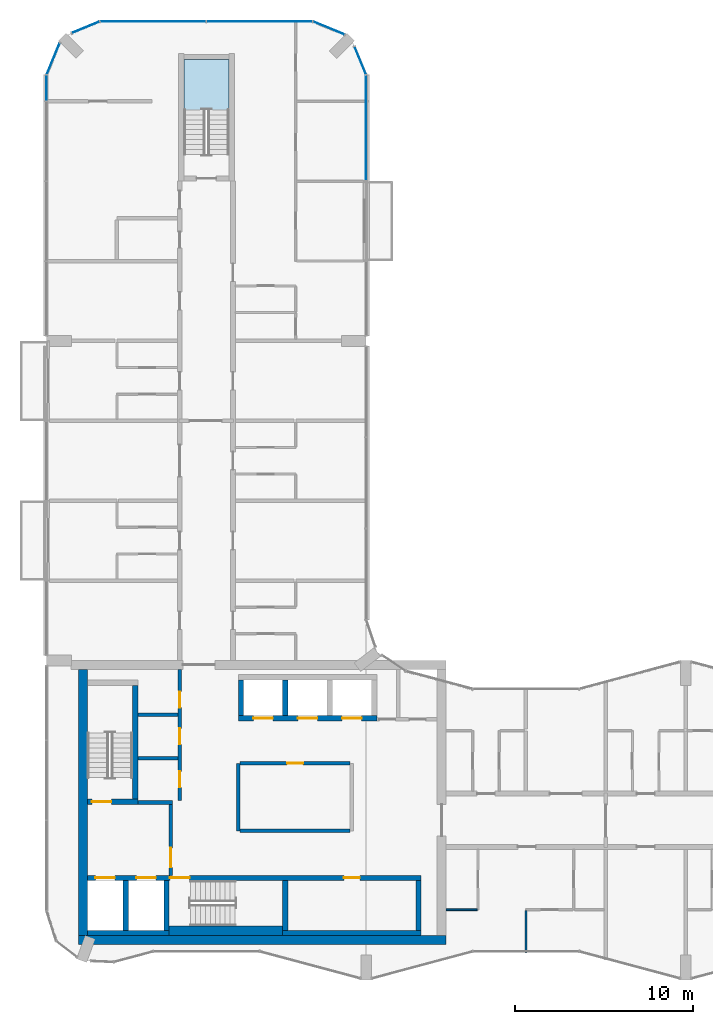
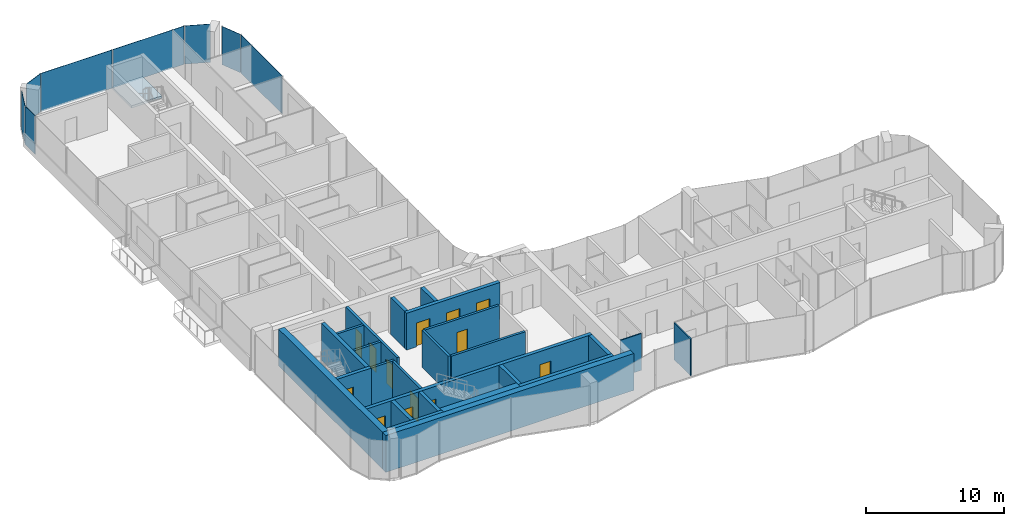
# One storey, part 9 of 16: 25 walls, 13 doors, 8 plates, 1 slab, 13 openings, 8 elements without a shape of their own.
"""IFC4 building model written with IfcOpenShell, lengths in metres."""

from ifc_helpers import new_model, si_unit, direction, frame, frame_2d, origin, origin_2d, place, context, subcontext, project, spatial, polyline, rectangle, outline, extrude, material, layer, layer_set, type_object, element, fill, aggregate, save


model = new_model("IFC4")

# Units and contexts
model_context = context("Model", 3, precision=1e-05, world=origin(), true_north=direction((0.0, 1.0)))
body_context = subcontext(model_context, "Body", "Model", "MODEL_VIEW")
ifc_project = project(units=[si_unit("LENGTHUNIT", "METRE"), si_unit("AREAUNIT", "SQUARE_METRE"), si_unit("VOLUMEUNIT", "CUBIC_METRE"), si_unit("PLANEANGLEUNIT", "RADIAN"), si_unit("MASSUNIT", "GRAM", prefix="KILO")], contexts=[model_context])

# Site, building, storey
site_placement = place(None, origin())
site = spatial("IfcSite", under=ifc_project, at=site_placement, CompositionType="ELEMENT")
building_placement = place(site_placement, origin())
building = spatial("IfcBuilding", under=site, at=building_placement, Name="Plateau Cross Towers", CompositionType="ELEMENT")
storey_placement = place(building_placement, frame((0.0, 0.0, 218.89990234375)))
storey = spatial("IfcBuildingStorey", under=building, at=storey_placement, Name="L57", CompositionType="ELEMENT", Elevation=218.89990234375)

# Curtain wall, plate
ifc_material_1 = material(Name="Dark low-iron glass", Category="glass")
ifc_layer_1 = layer(ifc_material_1, 0.239990234375)
ifc_layer_set_1 = layer_set([ifc_layer_1], Name="Dark low-iron glass")
curtain_wall_type = type_object("IfcCurtainWallType", Name="Curtain wall flush unitised CW-B", PredefinedType="NOTDEFINED", material=ifc_layer_set_1)
curtain_wall_1_placement = place(storey_placement, origin())
curtain_wall_1 = element("IfcCurtainWall", 1, at=curtain_wall_1_placement, inside=storey, type_object=curtain_wall_type, Name="ENV/A/L57/A180_450", PredefinedType="NOTDEFINED")
ifc_layer_2 = layer(ifc_material_1, 0.031982421875)
ifc_layer_set_2 = layer_set([ifc_layer_2], Name="Dark low-iron glass")
plate_type = type_object("IfcPlateType", Name="Glass panel 32 flush unitised", PredefinedType="CURTAIN_PANEL", material=ifc_layer_set_2)
plate_1_placement = place(storey_placement, frame((18.0, 48.0048828125, -0.1298828125), z_axis=(0.0, 0.0, 1.0), x_axis=(0.0, 1.0, 0.0)))
plate_1 = element("IfcPlate", 2, at=plate_1_placement, type_object=plate_type, Name="CW-B panel 1", PredefinedType="CURTAIN_PANEL", context=body_context, shape_type="SweptSolid", body=[
    extrude(rectangle(XDim=5.929931640625, YDim=0.031982421875, at=origin_2d()), origin(), (0.0, 0.0, 1.0), 3.3798828125),
])
aggregate(curtain_wall_1, [plate_1])

curtain_wall_2_placement = place(storey_placement, origin())
curtain_wall_2 = element("IfcCurtainWall", 3, at=curtain_wall_2_placement, inside=storey, type_object=curtain_wall_type, Name="ENV/A/L57/A180_510", PredefinedType="NOTDEFINED")
plate_2_placement = place(storey_placement, frame((17.66943359375, 51.79833984375, -0.1298828125), z_axis=(0.0, 0.0, 1.0), x_axis=(-0.382683612978, 0.923879457699, 0.0)))
plate_2 = element("IfcPlate", 4, at=plate_2_placement, type_object=plate_type, Name="CW-B panel 1", PredefinedType="CURTAIN_PANEL", context=body_context, shape_type="SweptSolid", body=[
    extrude(rectangle(XDim=1.668212890625, YDim=0.031982421875, at=origin_2d()), origin(), (0.0, 0.0, 1.0), 3.3798828125),
])
aggregate(curtain_wall_2, [plate_2])

curtain_wall_3_placement = place(storey_placement, origin())
curtain_wall_3 = element("IfcCurtainWall", 5, at=curtain_wall_3_placement, inside=storey, type_object=curtain_wall_type, Name="ENV/A/L57/A168_533", PredefinedType="NOTDEFINED")
plate_3_placement = place(storey_placement, frame((15.90283203125, 53.6259765625, -0.1298828125), z_axis=(0.0, 0.0, 1.0), x_axis=(-0.923879457699, 0.382683612978, 0.0)))
plate_3 = element("IfcPlate", 6, at=plate_3_placement, type_object=plate_type, Name="CW-B panel 1", PredefinedType="CURTAIN_PANEL", context=body_context, shape_type="SweptSolid", body=[
    extrude(rectangle(XDim=1.894775390625, YDim=0.031982421875, at=origin_2d()), origin(), (0.0, 0.0, 1.0), 3.3798828125),
])
aggregate(curtain_wall_3, [plate_3])

# Curtain wall, plates
curtain_wall_4_placement = place(storey_placement, origin())
curtain_wall_4 = element("IfcCurtainWall", 7, at=curtain_wall_4_placement, inside=storey, type_object=curtain_wall_type, Name="ENV/A/L57/A150_540", PredefinedType="NOTDEFINED")
plate_4_placement = place(storey_placement, frame((12.0, 54.0, -0.1298828125), z_axis=(0.0, 0.0, 1.0), x_axis=(-1.0, 0.0, 0.0)))
plate_4 = element("IfcPlate", 8, at=plate_4_placement, type_object=plate_type, Name="CW-B panel 1", PredefinedType="CURTAIN_PANEL", context=body_context, shape_type="SweptSolid", body=[
    extrude(rectangle(XDim=5.93994140625, YDim=0.031982421875, at=origin_2d()), origin(), (0.0, 0.0, 1.0), 3.3798828125),
])
plate_5_placement = place(storey_placement, frame((6.0, 54.0, -0.1298828125), z_axis=(0.0, 0.0, 1.0), x_axis=(-1.0, 0.0, 0.0)))
plate_5 = element("IfcPlate", 9, at=plate_5_placement, type_object=plate_type, Name="CW-B panel 2", PredefinedType="CURTAIN_PANEL", context=body_context, shape_type="SweptSolid", body=[
    extrude(rectangle(XDim=5.93994140625, YDim=0.031982421875, at=origin_2d()), origin(), (0.0, 0.0, 1.0), 3.3798828125),
])
aggregate(curtain_wall_4, [plate_4, plate_5])

# Curtain wall, plate
curtain_wall_5_placement = place(storey_placement, origin())
curtain_wall_5 = element("IfcCurtainWall", 10, at=curtain_wall_5_placement, inside=storey, type_object=curtain_wall_type, Name="ENV/A/L57/A30_540", PredefinedType="NOTDEFINED")
plate_6_placement = place(storey_placement, frame((2.20166015625, 53.66943359375, -0.1298828125), z_axis=(0.0, 0.0, 1.0), x_axis=(-0.923879457699, -0.382683612978, 0.0)))
plate_6 = element("IfcPlate", 11, at=plate_6_placement, type_object=plate_type, Name="CW-B panel 1", PredefinedType="CURTAIN_PANEL", context=body_context, shape_type="SweptSolid", body=[
    extrude(rectangle(XDim=1.668212890625, YDim=0.031982421875, at=origin_2d()), origin(), (0.0, 0.0, 1.0), 3.3798828125),
])
aggregate(curtain_wall_5, [plate_6])

curtain_wall_6_placement = place(storey_placement, origin())
curtain_wall_6 = element("IfcCurtainWall", 12, at=curtain_wall_6_placement, inside=storey, type_object=curtain_wall_type, Name="ENV/A/L57/A7_528", PredefinedType="NOTDEFINED")
plate_7_placement = place(storey_placement, frame((0.3740234375, 51.90283203125, -0.1298828125), z_axis=(0.0, 0.0, 1.0), x_axis=(-0.382683612978, -0.923879457699, 0.0)))
plate_7 = element("IfcPlate", 13, at=plate_7_placement, type_object=plate_type, Name="CW-B panel 1", PredefinedType="CURTAIN_PANEL", context=body_context, shape_type="SweptSolid", body=[
    extrude(rectangle(XDim=1.894775390625, YDim=0.031982421875, at=origin_2d()), origin(), (0.0, 0.0, 1.0), 3.3798828125),
])
aggregate(curtain_wall_6, [plate_7])

curtain_wall_7_placement = place(storey_placement, origin())
curtain_wall_7 = element("IfcCurtainWall", 14, at=curtain_wall_7_placement, inside=storey, type_object=curtain_wall_type, Name="ENV/A/L57/A0_510", PredefinedType="NOTDEFINED")
plate_8_placement = place(storey_placement, frame((0.0, 50.25, -0.1298828125), z_axis=(0.0, 0.0, 1.0), x_axis=(0.0, -1.0, 0.0)))
plate_8 = element("IfcPlate", 15, at=plate_8_placement, type_object=plate_type, Name="CW-B panel 1", PredefinedType="CURTAIN_PANEL", context=body_context, shape_type="SweptSolid", body=[
    extrude(rectangle(XDim=1.43994140625, YDim=0.031982421875, at=origin_2d()), origin(), (0.0, 0.0, 1.0), 3.3798828125),
])
aggregate(curtain_wall_7, [plate_8])

# Stair, slab
ifc_material_2 = material(Name="Concrete C40/50", Category="concrete")
stair_type = type_object("IfcStairType", Name="ST-TWR", PredefinedType="HALF_TURN_STAIR", material=ifc_material_2)
stair_placement = place(storey_placement, origin())
stair = element("IfcStair", 16, at=stair_placement, inside=storey, type_object=stair_type, Name="L57 Protected Exit Stair N", PredefinedType="HALF_TURN_STAIR")
ifc_layer_3 = layer(ifc_material_2, 0.199951171875)
ifc_layer_set_3 = layer_set([ifc_layer_3], Name="Concrete C40/50")
slab_type = type_object("IfcSlabType", Name="SL-LANDING", PredefinedType="LANDING", material=ifc_layer_set_3)
slab_placement = place(storey_placement, frame((0.0, 0.0, 1.550048828125)))
slab = element("IfcSlab", 17, at=slab_placement, type_object=slab_type, Name="ES-N landing 1", PredefinedType="LANDING", context=body_context, shape_type="SweptSolid", body=[
    extrude(outline(polyline([(10.27490234375, 49.02001953125), (10.27490234375, 51.85009765625), (7.72509765625, 51.85009765625), (7.72509765625, 49.02001953125), (10.27490234375, 49.02001953125)])), origin(), (0.0, 0.0, 1.0), 0.199951171875),
])
aggregate(stair, [slab])

# Wall, opening, door
ifc_material_3 = material(Name="Concrete block, plastered both sides", Category="concrete")
ifc_layer_4 = layer(ifc_material_3, 0.199951171875)
ifc_layer_set_4 = layer_set([ifc_layer_4], Name="Concrete block, plastered both sides")
wall_type_1 = type_object("IfcWallType", Name="Core partition 200", PredefinedType="PARTITIONING", material=ifc_layer_set_4)
wall_1_placement = place(storey_placement, frame((7.0, 5.89990234375, 0.0), z_axis=(0.0, 0.0, 1.0), x_axis=(0.0, 1.0, 0.0)))
wall_1 = element("IfcWall", 18, at=wall_1_placement, inside=storey, type_object=wall_type_1, Name="Core partition", PredefinedType="PARTITIONING", context=body_context, shape_type="SweptSolid", body=[
    extrude(rectangle(XDim=4.0, YDim=0.199951171875, at=frame_2d((2.0, 0.0))), origin(), (0.0, 0.0, 1.0), 3.25),
])
opening_1_placement = place(wall_1_placement, frame((0.449951171875, 0.0, 0.0)))
opening_1 = element("IfcOpeningElement", 19, at=opening_1_placement, cuts=wall_1, Name="Opening FFD", PredefinedType="OPENING", context=body_context, shape_type="SweptSolid", body=[
    extrude(rectangle(XDim=1.10009765625, YDim=2.10009765625, at=frame_2d((0.550048828125, 1.050048828125))), frame((0.0, 0.10986328125, 0.0), z_axis=(0.0, -1.0, 0.0), x_axis=(1.0, 0.0, 0.0)), (0.0, 0.0, 1.0), 0.219970703125),
])
ifc_material_4 = material(Name="Steel, fire-resisting leaf", Category="steel")
door_type_1 = type_object("IfcDoorType", Name="Firefighting lobby door 1100", OperationType="NOTDEFINED", PredefinedType="DOOR", material=ifc_material_4)
door_1_placement = place(opening_1_placement, origin())
door_1 = element("IfcDoor", 20, at=door_1_placement, inside=storey, type_object=door_type_1, Name="Firefighting lobby door FFD", OperationType="SINGLE_SWING_LEFT", OverallHeight=2.10009765625, OverallWidth=1.10009765625, PredefinedType="DOOR", context=body_context, shape_type="SweptSolid", body=[
    extrude(rectangle(XDim=1.10009765625, YDim=2.10009765625, at=frame_2d((0.550048828125, 1.050048828125))), frame((0.0, 0.02490234375, 0.0), z_axis=(0.0, -1.0, 0.0), x_axis=(1.0, 0.0, 0.0)), (0.0, 0.0, 1.0), 0.050048828125),
])
fill(opening_1, door_1)

# Walls
wall_2_placement = place(storey_placement, frame((5.14990234375, 10.0, 0.0), z_axis=(0.0, 0.0, 1.0), x_axis=(1.0, 0.0, 0.0)))
element("IfcWall", 21, at=wall_2_placement, inside=storey, type_object=wall_type_1, Name="Core partition", PredefinedType="PARTITIONING", context=body_context, shape_type="SweptSolid", body=[
    extrude(rectangle(XDim=1.9501953125, YDim=0.199951171875, at=frame_2d((0.97509765625, 0.0))), origin(), (0.0, 0.0, 1.0), 3.25),
])
wall_3_placement = place(storey_placement, frame((10.800048828125, 8.39990234375, 0.0), z_axis=(0.0, 0.0, 1.0), x_axis=(0.0, 1.0, 0.0)))
element("IfcWall", 22, at=wall_3_placement, inside=storey, type_object=wall_type_1, Name="Core partition", PredefinedType="PARTITIONING", context=body_context, shape_type="SweptSolid", body=[
    extrude(rectangle(XDim=3.800048828125, YDim=0.199951171875, at=frame_2d((1.89990234375, 0.0))), origin(), (0.0, 0.0, 1.0), 3.25),
])
wall_4_placement = place(storey_placement, frame((10.89990234375, 8.39990234375, 0.0), z_axis=(0.0, 0.0, 1.0), x_axis=(1.0, 0.0, 0.0)))
element("IfcWall", 23, at=wall_4_placement, inside=storey, type_object=wall_type_1, Name="Core partition", PredefinedType="PARTITIONING", context=body_context, shape_type="SweptSolid", body=[
    extrude(rectangle(XDim=6.2001953125, YDim=0.199951171875, at=frame_2d((3.10009765625, 0.0))), origin(), (0.0, 0.0, 1.0), 3.25),
])

# Wall, opening, door
wall_5_placement = place(storey_placement, frame((10.89990234375, 12.199951171875, 0.0), z_axis=(0.0, 0.0, 1.0), x_axis=(1.0, 0.0, 0.0)))
wall_5 = element("IfcWall", 24, at=wall_5_placement, inside=storey, type_object=wall_type_1, Name="Core partition", PredefinedType="PARTITIONING", context=body_context, shape_type="SweptSolid", body=[
    extrude(rectangle(XDim=6.2001953125, YDim=0.199951171875, at=frame_2d((3.10009765625, 0.0))), origin(), (0.0, 0.0, 1.0), 3.25),
])
opening_2_placement = place(wall_5_placement, frame((2.64990234375, 0.0, 0.0)))
opening_2 = element("IfcOpeningElement", 25, at=opening_2_placement, cuts=wall_5, Name="Opening RD1", PredefinedType="OPENING", context=body_context, shape_type="SweptSolid", body=[
    extrude(rectangle(XDim=0.89990234375, YDim=2.10009765625, at=frame_2d((0.449951171875, 1.050048828125))), frame((0.0, 0.10986328125, 0.0), z_axis=(0.0, -1.0, 0.0), x_axis=(1.0, 0.0, 0.0)), (0.0, 0.0, 1.0), 0.219970703125),
])
ifc_material_5 = material(Name="Timber, fire-resisting leaf", Category="wood")
door_type_2 = type_object("IfcDoorType", Name="Core service door 900", OperationType="NOTDEFINED", PredefinedType="DOOR", material=ifc_material_5)
door_2_placement = place(opening_2_placement, origin())
door_2 = element("IfcDoor", 26, at=door_2_placement, inside=storey, type_object=door_type_2, Name="Core service door RD1", OperationType="SINGLE_SWING_LEFT", OverallHeight=2.10009765625, OverallWidth=0.89990234375, PredefinedType="DOOR", context=body_context, shape_type="SweptSolid", body=[
    extrude(rectangle(XDim=0.89990234375, YDim=2.10009765625, at=frame_2d((0.449951171875, 1.050048828125))), frame((0.0, 0.02490234375, 0.0), z_axis=(0.0, -1.0, 0.0), x_axis=(1.0, 0.0, 0.0)), (0.0, 0.0, 1.0), 0.050048828125),
])
fill(opening_2, door_2)

# Wall, openings, doors
wall_6_placement = place(storey_placement, frame((7.5, 10.10009765625, 0.0), z_axis=(0.0, 0.0, 1.0), x_axis=(0.0, 1.0, 0.0)))
wall_6 = element("IfcWall", 27, at=wall_6_placement, inside=storey, type_object=wall_type_1, Name="Core partition", PredefinedType="PARTITIONING", context=body_context, shape_type="SweptSolid", body=[
    extrude(rectangle(XDim=7.39990234375, YDim=0.199951171875, at=frame_2d((3.699951171875, 0.0))), origin(), (0.0, 0.0, 1.0), 3.25),
])
opening_3_placement = place(wall_6_placement, frame((0.75, 0.0, 0.0)))
opening_3 = element("IfcOpeningElement", 28, at=opening_3_placement, cuts=wall_6, Name="Opening RD1", PredefinedType="OPENING", context=body_context, shape_type="SweptSolid", body=[
    extrude(rectangle(XDim=0.89990234375, YDim=2.10009765625, at=frame_2d((0.449951171875, 1.050048828125))), frame((0.0, 0.10986328125, 0.0), z_axis=(0.0, -1.0, 0.0), x_axis=(1.0, 0.0, 0.0)), (0.0, 0.0, 1.0), 0.219970703125),
])
opening_4_placement = place(wall_6_placement, frame((3.175048828125, 0.0, 0.0)))
opening_4 = element("IfcOpeningElement", 29, at=opening_4_placement, cuts=wall_6, Name="Opening RD1", PredefinedType="OPENING", context=body_context, shape_type="SweptSolid", body=[
    extrude(rectangle(XDim=0.89990234375, YDim=2.10009765625, at=frame_2d((0.449951171875, 1.050048828125))), frame((0.0, 0.10986328125, 0.0), z_axis=(0.0, -1.0, 0.0), x_axis=(1.0, 0.0, 0.0)), (0.0, 0.0, 1.0), 0.219970703125),
])
opening_5_placement = place(wall_6_placement, frame((5.25, 0.0, 0.0)))
opening_5 = element("IfcOpeningElement", 30, at=opening_5_placement, cuts=wall_6, Name="Opening RD1", PredefinedType="OPENING", context=body_context, shape_type="SweptSolid", body=[
    extrude(rectangle(XDim=0.89990234375, YDim=2.10009765625, at=frame_2d((0.449951171875, 1.050048828125))), frame((0.0, 0.10986328125, 0.0), z_axis=(0.0, -1.0, 0.0), x_axis=(1.0, 0.0, 0.0)), (0.0, 0.0, 1.0), 0.219970703125),
])
door_3_placement = place(opening_3_placement, origin())
door_3 = element("IfcDoor", 31, at=door_3_placement, inside=storey, type_object=door_type_2, Name="Core service door RD1", OperationType="SINGLE_SWING_RIGHT", OverallHeight=2.10009765625, OverallWidth=0.89990234375, PredefinedType="DOOR", context=body_context, shape_type="SweptSolid", body=[
    extrude(rectangle(XDim=0.89990234375, YDim=2.10009765625, at=frame_2d((0.449951171875, 1.050048828125))), frame((0.0, 0.02490234375, 0.0), z_axis=(0.0, -1.0, 0.0), x_axis=(1.0, 0.0, 0.0)), (0.0, 0.0, 1.0), 0.050048828125),
])
fill(opening_3, door_3)
door_4_placement = place(opening_4_placement, origin())
door_4 = element("IfcDoor", 32, at=door_4_placement, inside=storey, type_object=door_type_2, Name="Core service door RD1", OperationType="SINGLE_SWING_RIGHT", OverallHeight=2.10009765625, OverallWidth=0.89990234375, PredefinedType="DOOR", context=body_context, shape_type="SweptSolid", body=[
    extrude(rectangle(XDim=0.89990234375, YDim=2.10009765625, at=frame_2d((0.449951171875, 1.050048828125))), frame((0.0, 0.02490234375, 0.0), z_axis=(0.0, -1.0, 0.0), x_axis=(1.0, 0.0, 0.0)), (0.0, 0.0, 1.0), 0.050048828125),
])
fill(opening_4, door_4)
door_5_placement = place(opening_5_placement, origin())
door_5 = element("IfcDoor", 33, at=door_5_placement, inside=storey, type_object=door_type_2, Name="Core service door RD1", OperationType="SINGLE_SWING_RIGHT", OverallHeight=2.10009765625, OverallWidth=0.89990234375, PredefinedType="DOOR", context=body_context, shape_type="SweptSolid", body=[
    extrude(rectangle(XDim=0.89990234375, YDim=2.10009765625, at=frame_2d((0.449951171875, 1.050048828125))), frame((0.0, 0.02490234375, 0.0), z_axis=(0.0, -1.0, 0.0), x_axis=(1.0, 0.0, 0.0)), (0.0, 0.0, 1.0), 0.050048828125),
])
fill(opening_5, door_5)

# Walls
for number, where, z_axis, x_axis, name in (
    (34, (5.14990234375, 12.5, 0.0), (0.0, 0.0, 1.0), (1.0, 0.0, 0.0), "Core partition"),
    (35, (5.14990234375, 14.949951171875, 0.0), (0.0, 0.0, 1.0), (1.0, 0.0, 0.0), "Core partition"),
):
    element("IfcWall", number, at=place(storey_placement, frame(where, z_axis=z_axis, x_axis=x_axis)), inside=storey, type_object=wall_type_1, Name=name, PredefinedType="PARTITIONING", context=body_context, shape_type="SweptSolid", body=[
        extrude(rectangle(XDim=2.25, YDim=0.199951171875, at=frame_2d((1.125, 0.0))), origin(), (0.0, 0.0, 1.0), 3.25),
    ])
ifc_material_6 = material(Name="Concrete C60/75", Category="concrete")
ifc_layer_5 = layer(ifc_material_6, 0.300048828125)
ifc_layer_set_5 = layer_set([ifc_layer_5], Name="Concrete C60/75")
wall_type_2 = type_object("IfcWallType", Name="Core shaft wall 300", PredefinedType="SHEAR", material=ifc_layer_set_5)
wall_7_placement = place(storey_placement, frame((2.300048828125, 2.64990234375, 0.0), z_axis=(0.0, 0.0, 1.0), x_axis=(1.0, 0.0, 0.0)))
element("IfcWall", 36, at=wall_7_placement, inside=storey, type_object=wall_type_2, Name="A-sb-back1@L57", PredefinedType="SHEAR", context=body_context, shape_type="SweptSolid", body=[
    extrude(rectangle(XDim=4.599853515625, YDim=0.300048828125, at=frame_2d((2.2998046875, 0.0))), origin(), (0.0, 0.0, 1.0), 3.25),
])
wall_8_placement = place(storey_placement, frame((13.300048828125, 2.64990234375, 0.0), z_axis=(0.0, 0.0, 1.0), x_axis=(1.0, 0.0, 0.0)))
element("IfcWall", 37, at=wall_8_placement, inside=storey, type_object=wall_type_2, Name="A-sb-back3@L57", PredefinedType="SHEAR", context=body_context, shape_type="SweptSolid", body=[
    extrude(rectangle(XDim=7.800048828125, YDim=0.300048828125, at=frame_2d((3.89990234375, 0.0))), origin(), (0.0, 0.0, 1.0), 3.25),
])
for number, where, z_axis, x_axis, name in (
    (38, (4.449951171875, 2.800048828125, 0.0), (0.0, 0.0, 1.0), (0.0, 1.0, 0.0), "A-sb-v1@L57"),
    (39, (6.75, 2.800048828125, 0.0), (0.0, 0.0, 1.0), (0.0, 1.0, 0.0), "A-sb-v2@L57"),
    (40, (13.449951171875, 2.800048828125, 0.0), (0.0, 0.0, 1.0), (0.0, 1.0, 0.0), "A-sb-v3@L57"),
    (41, (20.949951171875, 2.800048828125, 0.0), (0.0, 0.0, 1.0), (0.0, 1.0, 0.0), "A-sb-v6@L57"),
):
    element("IfcWall", number, at=place(storey_placement, frame(where, z_axis=z_axis, x_axis=x_axis)), inside=storey, type_object=wall_type_2, Name=name, PredefinedType="SHEAR", context=body_context, shape_type="SweptSolid", body=[
        extrude(rectangle(XDim=2.800048828125, YDim=0.300048828125, at=frame_2d((1.39990234375, 0.0))), origin(), (0.0, 0.0, 1.0), 3.25),
    ])

# Wall, openings, doors
wall_9_placement = place(storey_placement, frame((2.300048828125, 5.75, 0.0), z_axis=(0.0, 0.0, 1.0), x_axis=(1.0, 0.0, 0.0)))
wall_9 = element("IfcWall", 42, at=wall_9_placement, inside=storey, type_object=wall_type_2, Name="A-sb-front@L57", PredefinedType="SHEAR", context=body_context, shape_type="SweptSolid", body=[
    extrude(rectangle(XDim=18.800048828125, YDim=0.300048828125, at=frame_2d((9.39990234375, 0.0))), origin(), (0.0, 0.0, 1.0), 3.25),
])
opening_6_placement = place(wall_9_placement, frame((4.64990234375, 0.0, 0.0)))
opening_6 = element("IfcOpeningElement", 43, at=opening_6_placement, cuts=wall_9, Name="Opening SD", PredefinedType="OPENING", context=body_context, shape_type="SweptSolid", body=[
    extrude(rectangle(XDim=1.10009765625, YDim=2.10009765625, at=frame_2d((0.550048828125, 1.050048828125))), frame((0.0, 0.159912109375, 0.0), z_axis=(0.0, -1.0, 0.0), x_axis=(1.0, 0.0, 0.0)), (0.0, 0.0, 1.0), 0.320068359375),
])
opening_7_placement = place(wall_9_placement, frame((0.449951171875, 0.0, 0.0)))
opening_7 = element("IfcOpeningElement", 44, at=opening_7_placement, cuts=wall_9, Name="Opening LD", PredefinedType="OPENING", context=body_context, shape_type="SweptSolid", body=[
    extrude(rectangle(XDim=1.10009765625, YDim=2.10009765625, at=frame_2d((0.550048828125, 1.050048828125))), frame((0.0, 0.159912109375, 0.0), z_axis=(0.0, -1.0, 0.0), x_axis=(1.0, 0.0, 0.0)), (0.0, 0.0, 1.0), 0.320068359375),
])
opening_8_placement = place(wall_9_placement, frame((2.75, 0.0, 0.0)))
opening_8 = element("IfcOpeningElement", 45, at=opening_8_placement, cuts=wall_9, Name="Opening LD", PredefinedType="OPENING", context=body_context, shape_type="SweptSolid", body=[
    extrude(rectangle(XDim=1.10009765625, YDim=2.10009765625, at=frame_2d((0.550048828125, 1.050048828125))), frame((0.0, 0.159912109375, 0.0), z_axis=(0.0, -1.0, 0.0), x_axis=(1.0, 0.0, 0.0)), (0.0, 0.0, 1.0), 0.320068359375),
])
opening_9_placement = place(wall_9_placement, frame((14.449951171875, 0.0, 0.0)))
opening_9 = element("IfcOpeningElement", 46, at=opening_9_placement, cuts=wall_9, Name="Opening RD2", PredefinedType="OPENING", context=body_context, shape_type="SweptSolid", body=[
    extrude(rectangle(XDim=0.89990234375, YDim=2.10009765625, at=frame_2d((0.449951171875, 1.050048828125))), frame((0.0, 0.159912109375, 0.0), z_axis=(0.0, -1.0, 0.0), x_axis=(1.0, 0.0, 0.0)), (0.0, 0.0, 1.0), 0.320068359375),
])
door_type_3 = type_object("IfcDoorType", Name="Core riser door 900", OperationType="NOTDEFINED", PredefinedType="DOOR", material=ifc_material_4)
door_6_placement = place(opening_9_placement, origin())
door_6 = element("IfcDoor", 47, at=door_6_placement, inside=storey, type_object=door_type_3, Name="Core riser door RD2", OperationType="SINGLE_SWING_LEFT", OverallHeight=2.10009765625, OverallWidth=0.89990234375, PredefinedType="DOOR", context=body_context, shape_type="SweptSolid", body=[
    extrude(rectangle(XDim=0.89990234375, YDim=2.10009765625, at=frame_2d((0.449951171875, 1.050048828125))), frame((0.0, 0.02490234375, 0.0), z_axis=(0.0, -1.0, 0.0), x_axis=(1.0, 0.0, 0.0)), (0.0, 0.0, 1.0), 0.050048828125),
])
fill(opening_9, door_6)
ifc_material_7 = material(Name="Stainless steel, fire-resisting sliding leaves", Category="steel")
door_type_4 = type_object("IfcDoorType", Name="Lift landing door 1100", OperationType="NOTDEFINED", PredefinedType="DOOR", material=ifc_material_7)
door_7_placement = place(opening_7_placement, origin())
door_7 = element("IfcDoor", 48, at=door_7_placement, inside=storey, type_object=door_type_4, Name="Lift landing door LD", OperationType="DOUBLE_DOOR_SLIDING", OverallHeight=2.10009765625, OverallWidth=1.10009765625, PredefinedType="DOOR", context=body_context, shape_type="SweptSolid", body=[
    extrude(rectangle(XDim=1.10009765625, YDim=2.10009765625, at=frame_2d((0.550048828125, 1.050048828125))), frame((0.0, 0.02490234375, 0.0), z_axis=(0.0, -1.0, 0.0), x_axis=(1.0, 0.0, 0.0)), (0.0, 0.0, 1.0), 0.050048828125),
])
fill(opening_7, door_7)
door_8_placement = place(opening_8_placement, origin())
door_8 = element("IfcDoor", 49, at=door_8_placement, inside=storey, type_object=door_type_4, Name="Lift landing door LD", OperationType="DOUBLE_DOOR_SLIDING", OverallHeight=2.10009765625, OverallWidth=1.10009765625, PredefinedType="DOOR", context=body_context, shape_type="SweptSolid", body=[
    extrude(rectangle(XDim=1.10009765625, YDim=2.10009765625, at=frame_2d((0.550048828125, 1.050048828125))), frame((0.0, 0.02490234375, 0.0), z_axis=(0.0, -1.0, 0.0), x_axis=(1.0, 0.0, 0.0)), (0.0, 0.0, 1.0), 0.050048828125),
])
fill(opening_8, door_8)
door_type_5 = type_object("IfcDoorType", Name="Stair door 1100", OperationType="NOTDEFINED", PredefinedType="DOOR", material=ifc_material_4)
door_9_placement = place(opening_6_placement, origin())
door_9 = element("IfcDoor", 50, at=door_9_placement, inside=storey, type_object=door_type_5, Name="Stair door SD", OperationType="SINGLE_SWING_LEFT", OverallHeight=2.10009765625, OverallWidth=1.10009765625, PredefinedType="DOOR", context=body_context, shape_type="SweptSolid", body=[
    extrude(rectangle(XDim=1.10009765625, YDim=2.10009765625, at=frame_2d((0.550048828125, 1.050048828125))), frame((0.0, 0.02490234375, 0.0), z_axis=(0.0, -1.0, 0.0), x_axis=(1.0, 0.0, 0.0)), (0.0, 0.0, 1.0), 0.050048828125),
])
fill(opening_6, door_9)

# Wall, opening, door
wall_10_placement = place(storey_placement, frame((2.300048828125, 10.050048828125, 0.0), z_axis=(0.0, 0.0, 1.0), x_axis=(1.0, 0.0, 0.0)))
wall_10 = element("IfcWall", 51, at=wall_10_placement, inside=storey, type_object=wall_type_2, Name="A-st1-S@L57", PredefinedType="SHEAR", context=body_context, shape_type="SweptSolid", body=[
    extrude(rectangle(XDim=2.849853515625, YDim=0.300048828125, at=frame_2d((1.4248046875, 0.0))), origin(), (0.0, 0.0, 1.0), 3.25),
])
opening_10_placement = place(wall_10_placement, frame((0.25, 0.0, 0.0)))
opening_10 = element("IfcOpeningElement", 52, at=opening_10_placement, cuts=wall_10, Name="Opening SD", PredefinedType="OPENING", context=body_context, shape_type="SweptSolid", body=[
    extrude(rectangle(XDim=1.10009765625, YDim=2.10009765625, at=frame_2d((0.550048828125, 1.050048828125))), frame((0.0, 0.159912109375, 0.0), z_axis=(0.0, -1.0, 0.0), x_axis=(1.0, 0.0, 0.0)), (0.0, 0.0, 1.0), 0.320068359375),
])
door_10_placement = place(opening_10_placement, origin())
door_10 = element("IfcDoor", 53, at=door_10_placement, inside=storey, type_object=door_type_5, Name="Stair door SD", OperationType="SINGLE_SWING_RIGHT", OverallHeight=2.10009765625, OverallWidth=1.10009765625, PredefinedType="DOOR", context=body_context, shape_type="SweptSolid", body=[
    extrude(rectangle(XDim=1.10009765625, YDim=2.10009765625, at=frame_2d((0.550048828125, 1.050048828125))), frame((0.0, 0.02490234375, 0.0), z_axis=(0.0, -1.0, 0.0), x_axis=(1.0, 0.0, 0.0)), (0.0, 0.0, 1.0), 0.050048828125),
])
fill(opening_10, door_10)

# Wall
wall_11_placement = place(storey_placement, frame((5.0, 10.199951171875, 0.0), z_axis=(0.0, 0.0, 1.0), x_axis=(0.0, 1.0, 0.0)))
element("IfcWall", 54, at=wall_11_placement, inside=storey, type_object=wall_type_2, Name="A-st1-E@L57", PredefinedType="SHEAR", context=body_context, shape_type="SweptSolid", body=[
    extrude(rectangle(XDim=6.400146484375, YDim=0.300048828125, at=frame_2d((3.2001953125, 0.0))), origin(), (0.0, 0.0, 1.0), 3.25),
])

# Wall, openings, doors
wall_12_placement = place(storey_placement, frame((10.800048828125, 14.75, 0.0), z_axis=(0.0, 0.0, 1.0), x_axis=(1.0, 0.0, 0.0)))
wall_12 = element("IfcWall", 55, at=wall_12_placement, inside=storey, type_object=wall_type_2, Name="A-nb-front@L57", PredefinedType="SHEAR", context=body_context, shape_type="SweptSolid", body=[
    extrude(rectangle(XDim=7.800048828125, YDim=0.300048828125, at=frame_2d((3.89990234375, 0.0))), origin(), (0.0, 0.0, 1.0), 3.25),
])
opening_11_placement = place(wall_12_placement, frame((0.85009765625, 0.0, 0.0)))
opening_11 = element("IfcOpeningElement", 56, at=opening_11_placement, cuts=wall_12, Name="Opening LD", PredefinedType="OPENING", context=body_context, shape_type="SweptSolid", body=[
    extrude(rectangle(XDim=1.10009765625, YDim=2.10009765625, at=frame_2d((0.550048828125, 1.050048828125))), frame((0.0, 0.159912109375, 0.0), z_axis=(0.0, -1.0, 0.0), x_axis=(1.0, 0.0, 0.0)), (0.0, 0.0, 1.0), 0.320068359375),
])
opening_12_placement = place(wall_12_placement, frame((3.35009765625, 0.0, 0.0)))
opening_12 = element("IfcOpeningElement", 57, at=opening_12_placement, cuts=wall_12, Name="Opening LD", PredefinedType="OPENING", context=body_context, shape_type="SweptSolid", body=[
    extrude(rectangle(XDim=1.10009765625, YDim=2.10009765625, at=frame_2d((0.550048828125, 1.050048828125))), frame((0.0, 0.159912109375, 0.0), z_axis=(0.0, -1.0, 0.0), x_axis=(1.0, 0.0, 0.0)), (0.0, 0.0, 1.0), 0.320068359375),
])
opening_13_placement = place(wall_12_placement, frame((5.85009765625, 0.0, 0.0)))
opening_13 = element("IfcOpeningElement", 58, at=opening_13_placement, cuts=wall_12, Name="Opening LD", PredefinedType="OPENING", context=body_context, shape_type="SweptSolid", body=[
    extrude(rectangle(XDim=1.10009765625, YDim=2.10009765625, at=frame_2d((0.550048828125, 1.050048828125))), frame((0.0, 0.159912109375, 0.0), z_axis=(0.0, -1.0, 0.0), x_axis=(1.0, 0.0, 0.0)), (0.0, 0.0, 1.0), 0.320068359375),
])
door_11_placement = place(opening_11_placement, origin())
door_11 = element("IfcDoor", 59, at=door_11_placement, inside=storey, type_object=door_type_4, Name="Lift landing door LD", OperationType="DOUBLE_DOOR_SLIDING", OverallHeight=2.10009765625, OverallWidth=1.10009765625, PredefinedType="DOOR", context=body_context, shape_type="SweptSolid", body=[
    extrude(rectangle(XDim=1.10009765625, YDim=2.10009765625, at=frame_2d((0.550048828125, 1.050048828125))), frame((0.0, 0.02490234375, 0.0), z_axis=(0.0, -1.0, 0.0), x_axis=(1.0, 0.0, 0.0)), (0.0, 0.0, 1.0), 0.050048828125),
])
fill(opening_11, door_11)
door_12_placement = place(opening_12_placement, origin())
door_12 = element("IfcDoor", 60, at=door_12_placement, inside=storey, type_object=door_type_4, Name="Lift landing door LD", OperationType="DOUBLE_DOOR_SLIDING", OverallHeight=2.10009765625, OverallWidth=1.10009765625, PredefinedType="DOOR", context=body_context, shape_type="SweptSolid", body=[
    extrude(rectangle(XDim=1.10009765625, YDim=2.10009765625, at=frame_2d((0.550048828125, 1.050048828125))), frame((0.0, 0.02490234375, 0.0), z_axis=(0.0, -1.0, 0.0), x_axis=(1.0, 0.0, 0.0)), (0.0, 0.0, 1.0), 0.050048828125),
])
fill(opening_12, door_12)
door_13_placement = place(opening_13_placement, origin())
door_13 = element("IfcDoor", 61, at=door_13_placement, inside=storey, type_object=door_type_4, Name="Lift landing door LD", OperationType="DOUBLE_DOOR_SLIDING", OverallHeight=2.10009765625, OverallWidth=1.10009765625, PredefinedType="DOOR", context=body_context, shape_type="SweptSolid", body=[
    extrude(rectangle(XDim=1.10009765625, YDim=2.10009765625, at=frame_2d((0.550048828125, 1.050048828125))), frame((0.0, 0.02490234375, 0.0), z_axis=(0.0, -1.0, 0.0), x_axis=(1.0, 0.0, 0.0)), (0.0, 0.0, 1.0), 0.050048828125),
])
fill(opening_13, door_13)

# Walls
for number, where, z_axis, x_axis, name in (
    (62, (10.949951171875, 14.89990234375, 0.0), (0.0, 0.0, 1.0), (0.0, 1.0, 0.0), "A-nb-v1@L57"),
    (63, (13.449951171875, 14.89990234375, 0.0), (0.0, 0.0, 1.0), (0.0, 1.0, 0.0), "A-nb-v2@L57"),
):
    element("IfcWall", number, at=place(storey_placement, frame(where, z_axis=z_axis, x_axis=x_axis)), inside=storey, type_object=wall_type_2, Name=name, PredefinedType="SHEAR", context=body_context, shape_type="SweptSolid", body=[
        extrude(rectangle(XDim=2.0, YDim=0.300048828125, at=frame_2d((1.0, 0.0))), origin(), (0.0, 0.0, 1.0), 3.25),
    ])
ifc_layer_6 = layer(ifc_material_6, 0.550048828125)
ifc_layer_set_6 = layer_set([ifc_layer_6], Name="Concrete C60/75")
wall_type_3 = type_object("IfcWallType", Name="Core shaft wall 550", PredefinedType="SHEAR", material=ifc_layer_set_6)
wall_13_placement = place(storey_placement, frame((6.89990234375, 2.77490234375, 0.0), z_axis=(0.0, 0.0, 1.0), x_axis=(1.0, 0.0, 0.0)))
element("IfcWall", 64, at=wall_13_placement, inside=storey, type_object=wall_type_3, Name="A-sb-back2@L57", PredefinedType="SHEAR", context=body_context, shape_type="SweptSolid", body=[
    extrude(rectangle(XDim=6.400146484375, YDim=0.550048828125, at=frame_2d((3.2001953125, 0.0))), origin(), (0.0, 0.0, 1.0), 3.25),
])
ifc_layer_7 = layer(ifc_material_6, 0.5)
ifc_layer_set_7 = layer_set([ifc_layer_7], Name="Concrete C60/75")
wall_type_4 = type_object("IfcWallType", Name="Core shell wall 500", PredefinedType="SHEAR", material=ifc_layer_set_7)
wall_14_placement = place(storey_placement, frame((1.800048828125, 2.25, 0.0), z_axis=(0.0, 0.0, 1.0), x_axis=(1.0, 0.0, 0.0)))
element("IfcWall", 65, at=wall_14_placement, inside=storey, type_object=wall_type_4, Name="A-core-S@L57", PredefinedType="SHEAR", context=body_context, shape_type="SweptSolid", body=[
    extrude(rectangle(XDim=20.699951171875, YDim=0.5, at=frame_2d((10.35009765625, 0.0))), origin(), (0.0, 0.0, 1.0), 3.25),
])
wall_15_placement = place(storey_placement, frame((2.050048828125, 2.5, 0.0), z_axis=(0.0, 0.0, 1.0), x_axis=(0.0, 1.0, 0.0)))
element("IfcWall", 66, at=wall_15_placement, inside=storey, type_object=wall_type_4, Name="A-core-W@L57", PredefinedType="SHEAR", context=body_context, shape_type="SweptSolid", body=[
    extrude(rectangle(XDim=15.0, YDim=0.5, at=frame_2d((7.5, 0.0))), origin(), (0.0, 0.0, 1.0), 3.25),
])
ifc_material_8 = material(Name="Gypsum board on steel studs", Category="steel")
ifc_layer_8 = layer(ifc_material_8, 0.10009765625)
ifc_layer_set_8 = layer_set([ifc_layer_8], Name="Gypsum board on steel studs")
wall_type_5 = type_object("IfcWallType", Name="Flat partition 100", PredefinedType="PARTITIONING", material=ifc_layer_set_8)
wall_16_placement = place(storey_placement, frame((22.5, 3.96240234375, 0.0), z_axis=(0.0, 0.0, 1.0), x_axis=(1.0, 0.0, 0.0)))
element("IfcWall", 67, at=wall_16_placement, inside=storey, type_object=wall_type_5, Name="Partition wall", PredefinedType="PARTITIONING", context=body_context, shape_type="SweptSolid", body=[
    extrude(rectangle(XDim=1.75, YDim=0.10009765625, at=frame_2d((0.875, 0.0))), origin(), (0.0, 0.0, 1.0), 3.25),
])
wall_17_placement = place(storey_placement, frame((27.0, 3.91259765625, 0.0), z_axis=(0.0, 0.0, 1.0), x_axis=(0.0, -1.0, 0.0)))
element("IfcWall", 68, at=wall_17_placement, inside=storey, type_object=wall_type_5, Name="Partition wall", PredefinedType="PARTITIONING", context=body_context, shape_type="SweptSolid", body=[
    extrude(rectangle(XDim=2.3857421875, YDim=0.10009765625, at=frame_2d((1.19287109375, 0.0))), origin(), (0.0, 0.0, 1.0), 3.25),
])

save(model, "model.ifc")
